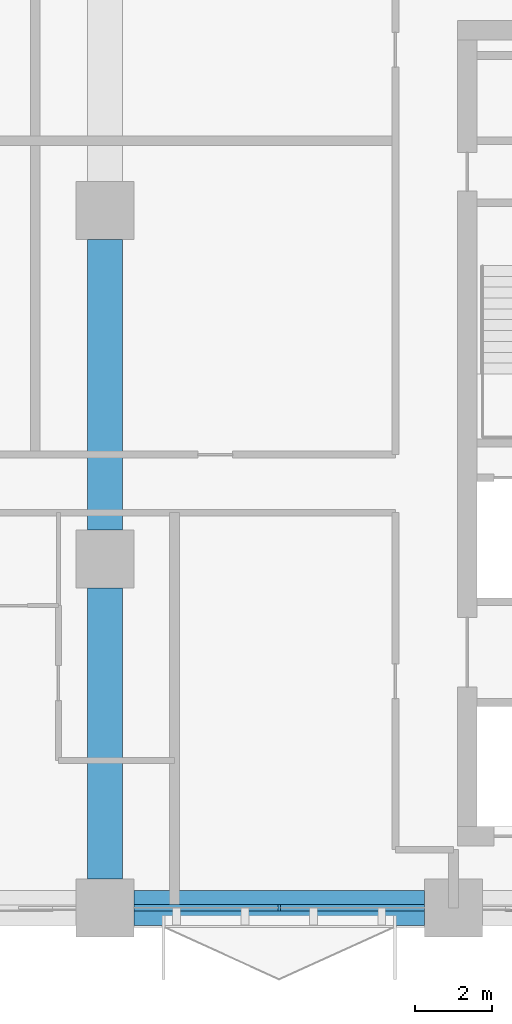
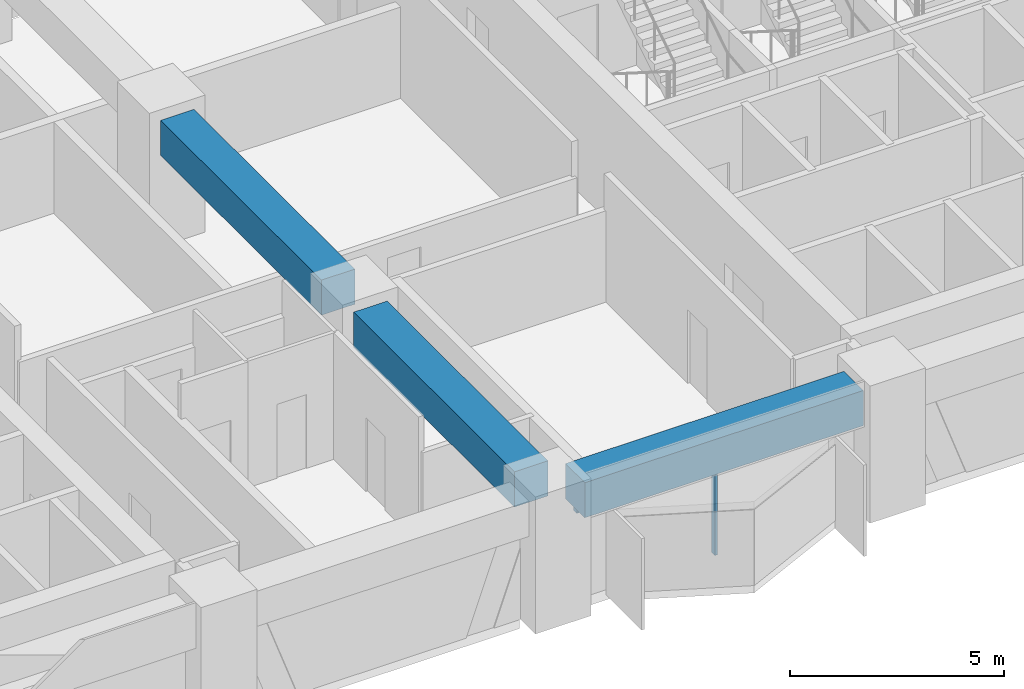
# One storey, part 3 of 14: 3 beams, 2 members, 1 element without a shape of its own.
"""IFC4 building model written with IfcOpenShell, lengths in metres."""

from ifc_helpers import new_model, si_unit, direction, frame, origin, origin_2d, place, context, subcontext, project, spatial, rectangle, extrude, material, material_profile, profile_set, type_object, element, aggregate, save


model = new_model("IFC4")

# Units and contexts
model_context = context("Model", 3, precision=1e-05, world=origin(), true_north=direction((0.0, 1.0)))
body_context = subcontext(model_context, "Body", "Model", "MODEL_VIEW")
ifc_project = project(units=[si_unit("LENGTHUNIT", "METRE"), si_unit("AREAUNIT", "SQUARE_METRE"), si_unit("VOLUMEUNIT", "CUBIC_METRE"), si_unit("PLANEANGLEUNIT", "RADIAN"), si_unit("MASSUNIT", "GRAM", prefix="KILO")], contexts=[model_context])

# Site, building, storey
site_placement = place(None, origin())
site = spatial("IfcSite", under=ifc_project, at=site_placement, CompositionType="ELEMENT")
building_placement = place(site_placement, origin())
building = spatial("IfcBuilding", under=site, at=building_placement, Name="Tessera Arch", CompositionType="ELEMENT")
storey_placement = place(building_placement, frame((0.0, 0.0, 146.60009765625)))
storey = spatial("IfcBuildingStorey", under=building, at=storey_placement, Name="L34", CompositionType="ELEMENT", Elevation=146.60009765625)

# Curtain wall, members
ifc_material_1 = material(Name="CW1 curtain wall")
curtain_wall_type = type_object("IfcCurtainWallType", Name="CW1 curtain wall", PredefinedType="NOTDEFINED", material=ifc_material_1)
curtain_wall_placement = place(storey_placement, origin())
curtain_wall = element("IfcCurtainWall", 1, at=curtain_wall_placement, inside=storey, type_object=curtain_wall_type, Name="CW1 curtain wall S27.0/3 L34", PredefinedType="NOTDEFINED")
ifc_material_2 = material(Name="Anodised aluminium pale metal", Category="aluminium")
ifc_material_profile_1 = material_profile(ifc_material_2, rectangle(XDim=0.159912109375, YDim=0.06005859375, at=origin_2d()), Name="AL 60x160")
ifc_profile_set_1 = profile_set([ifc_material_profile_1], Name="Anodised aluminium pale metal")
member_type_1 = type_object("IfcMemberType", Name="CW1 mullion", PredefinedType="MULLION", material=ifc_profile_set_1)
member_1_placement = place(storey_placement, frame((31.5, 27.0, 0.0), z_axis=(0.0, 0.0, 1.0), x_axis=(0.0, 1.0, 0.0)))
member_1 = element("IfcMember", 2, at=member_1_placement, type_object=member_type_1, Name="CW1 mullion S27.0/3 1", PredefinedType="MULLION", context=body_context, shape_type="SweptSolid", body=[
    extrude(rectangle(XDim=0.159912109375, YDim=0.06005859375, at=origin_2d()), origin(), (0.0, 0.0, 1.0), 2.5),
])
ifc_material_3 = material(Name="Anodised aluminium pale metal", Category="aluminium")
ifc_material_profile_2 = material_profile(ifc_material_3, rectangle(XDim=0.159912109375, YDim=0.10009765625, at=origin_2d()), Name="AL 160x100")
ifc_profile_set_2 = profile_set([ifc_material_profile_2], Name="Anodised aluminium pale metal")
member_type_2 = type_object("IfcMemberType", Name="CW1 transom", PredefinedType="USERDEFINED", material=ifc_profile_set_2)
member_2_placement = place(storey_placement, frame((27.75, 27.0, 2.5498046875), z_axis=(1.0, 0.0, 0.0), x_axis=(0.0, 1.0, 0.0)))
member_2 = element("IfcMember", 3, at=member_2_placement, type_object=member_type_2, Name="CW1 transom S27.0/3 1.1", ObjectType="TRANSOM", PredefinedType="USERDEFINED", context=body_context, shape_type="SweptSolid", body=[
    extrude(rectangle(XDim=0.159912109375, YDim=0.10009765625, at=origin_2d()), origin(), (0.0, 0.0, 1.0), 7.5),
])
aggregate(curtain_wall, [member_1, member_2])

# Beams
ifc_material_4 = material(Name="Concrete C70/85", Category="concrete")
ifc_material_profile_3 = material_profile(ifc_material_4, rectangle(XDim=0.89990234375, YDim=1.0, at=origin_2d()), Name="RC spandrel beam 900 x 1000 Concrete C70/85")
ifc_profile_set_3 = profile_set([ifc_material_profile_3], Name="Concrete C70/85")
beam_type = type_object("IfcBeamType", Name="RC spandrel beam 900 x 1000 Concrete C70/85", PredefinedType="BEAM", material=ifc_profile_set_3)
for number, where, z_axis, x_axis, name in (
    (4, (27.75, 27.0, 3.099853515625), (1.0, 0.0, 0.0), (0.0, 1.0, 0.0), "Spandrel beam L34 S27.0/3"),
    (5, (27.0, 27.75, 3.099853515625), (0.0, 1.0, 0.0), (-1.0, 0.0, 0.0), "Interface beam L34 I0C4D-C4E"),
    (6, (27.0, 36.75, 3.099853515625), (0.0, 1.0, 0.0), (-1.0, 0.0, 0.0), "Interface beam L34 I0C4E-C4F"),
):
    element("IfcBeam", number, at=place(storey_placement, frame(where, z_axis=z_axis, x_axis=x_axis)), inside=storey, type_object=beam_type, Name=name, PredefinedType="BEAM", context=body_context, shape_type="SweptSolid", body=[
        extrude(rectangle(XDim=0.89990234375, YDim=1.0, at=origin_2d()), origin(), (0.0, 0.0, 1.0), 7.5),
    ])

save(model, "model.ifc")
